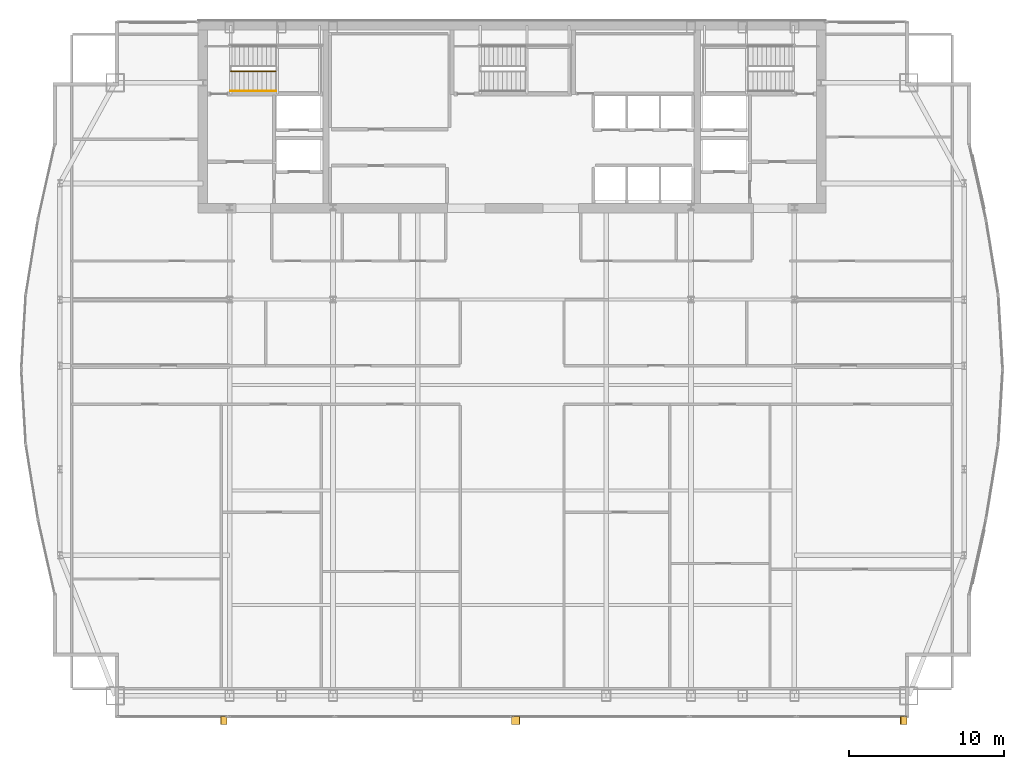
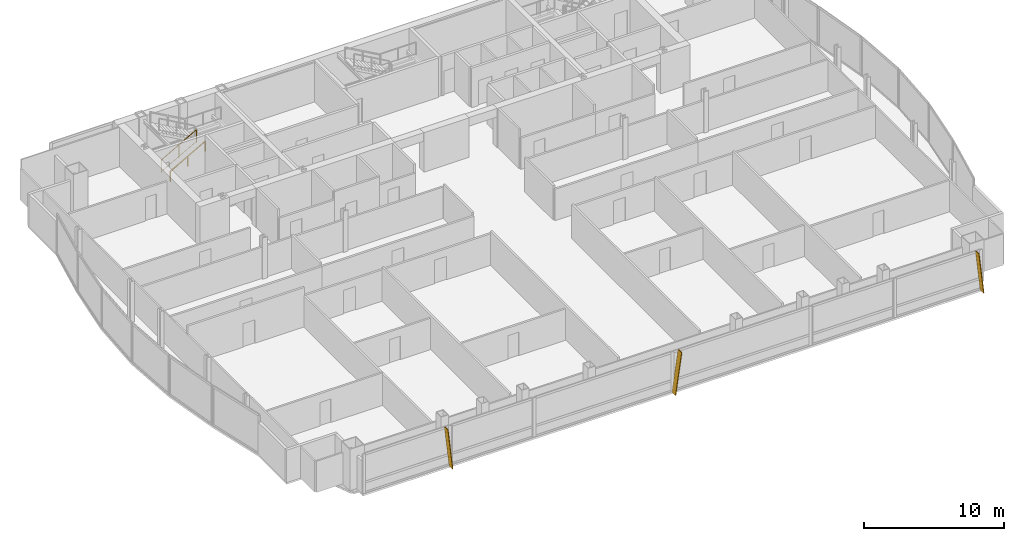
# One storey, part 29 of 30: 3 shading devices, 2 railings.
"""IFC4 building model written with IfcOpenShell, lengths in metres."""

from ifc_helpers import new_model, si_unit, direction, frame, origin, origin_2d, place, context, subcontext, project, spatial, polyline, rectangle, outline, extrude, material, layer, layer_set, type_object, element, save


model = new_model("IFC4")

# Units and contexts
model_context = context("Model", 3, precision=1e-05, world=origin(), true_north=direction((0.0, 1.0)))
body_context = subcontext(model_context, "Body", "Model", "MODEL_VIEW")
ifc_project = project(units=[si_unit("LENGTHUNIT", "METRE"), si_unit("AREAUNIT", "SQUARE_METRE"), si_unit("VOLUMEUNIT", "CUBIC_METRE"), si_unit("PLANEANGLEUNIT", "RADIAN"), si_unit("MASSUNIT", "GRAM", prefix="KILO")], contexts=[model_context])

# Site, building, storey
site_placement = place(None, origin())
site = spatial("IfcSite", under=ifc_project, at=site_placement, CompositionType="ELEMENT")
building_placement = place(site_placement, origin())
building = spatial("IfcBuilding", under=site, at=building_placement, Name="Khoronbel Lancet Exchange", CompositionType="ELEMENT")
storey_placement = place(building_placement, frame((0.0, 0.0, 213.800048828125)))
storey = spatial("IfcBuildingStorey", under=building, at=storey_placement, Name="L54", CompositionType="ELEMENT", Elevation=213.800048828125)

# Railings
ifc_material_1 = material(Name="Painted Steel Balustrade", Category="steel")
railing_type_1 = type_object("IfcRailingType", Name="RL-STG110", PredefinedType="GUARDRAIL", material=ifc_material_1)
railing_1_placement = place(storey_placement, frame((18.300048828125, 50.449951171875, 0.16357421875)))
element("IfcRailing", 1, at=railing_1_placement, inside=storey, type_object=railing_type_1, Name="L54 ST1 stair guard 1", PredefinedType="GUARDRAIL", context=body_context, shape_type="SweptSolid", body=[
    extrude(rectangle(XDim=0.048095703125, YDim=0.048095703125, at=origin_2d()), frame((0.0, 0.0, 1.09619140625), z_axis=(0.870897200241, 0.0, 0.491465224214), x_axis=(0.0, 1.0, 0.0)), (0.0, 0.0, 1.0), 3.329833984375),
    extrude(rectangle(XDim=0.02392578125, YDim=0.02392578125, at=origin_2d()), frame((0.0, 0.0, 0.080078125), z_axis=(0.870897200241, 0.0, 0.491465224214), x_axis=(0.0, 1.0, 0.0)), (0.0, 0.0, 1.0), 3.329833984375),
    extrude(rectangle(XDim=0.0419921875, YDim=0.0419921875, at=origin_2d()), origin(), (0.0, 0.0, 1.0), 1.072021484375),
    extrude(rectangle(XDim=0.0419921875, YDim=0.0419921875, at=origin_2d()), frame((1.449951171875, 0.0, 0.818359375)), (0.0, 0.0, 1.0), 1.072021484375),
    extrude(rectangle(XDim=0.0419921875, YDim=0.0419921875, at=origin_2d()), frame((2.89990234375, 0.0, 1.636474609375)), (0.0, 0.0, 1.0), 1.072021484375),
])
ifc_material_2 = material(Name="Brushed Stainless Steel 316", Category="steel")
railing_type_2 = type_object("IfcRailingType", Name="RL-STH92", PredefinedType="HANDRAIL", material=ifc_material_2)
railing_2_placement = place(storey_placement, frame((18.300048828125, 49.169921875, 0.16357421875)))
element("IfcRailing", 2, at=railing_2_placement, inside=storey, type_object=railing_type_2, Name="L54 ST1 stair handrail 1", PredefinedType="HANDRAIL", context=body_context, shape_type="SweptSolid", body=[
    extrude(rectangle(XDim=0.048095703125, YDim=0.048095703125, at=origin_2d()), frame((0.0, 0.0, 0.8759765625), z_axis=(0.870897200241, 0.0, 0.491465224214), x_axis=(0.0, 1.0, 0.0)), (0.0, 0.0, 1.0), 3.329833984375),
    extrude(rectangle(XDim=0.0419921875, YDim=0.0419921875, at=origin_2d()), origin(), (0.0, 0.0, 1.0), 0.851806640625),
    extrude(rectangle(XDim=0.0419921875, YDim=0.0419921875, at=origin_2d()), frame((1.449951171875, 0.0, 0.818359375)), (0.0, 0.0, 1.0), 0.851806640625),
    extrude(rectangle(XDim=0.0419921875, YDim=0.0419921875, at=origin_2d()), frame((2.89990234375, 0.0, 1.636474609375)), (0.0, 0.0, 1.0), 0.851806640625),
])

# Shading devices
ifc_material_3 = material(Name="Bronze-Anodised Aluminium 6063-T6", Category="aluminium")
ifc_layer = layer(ifc_material_3, 0.054931640625, Name="Bronze-Anodised Aluminium 6063-T6")
ifc_layer_set = layer_set([ifc_layer], Name="Bronze-Anodised Aluminium 6063-T6")
shading_device_type = type_object("IfcShadingDeviceType", Name="SHD-FIN1", PredefinedType="USERDEFINED", material=ifc_layer_set)
shading_device_1_placement = place(storey_placement, frame((18.072509765625, 8.81005859375, -0.080078125), z_axis=(0.993900347655, 0.0, 0.110281906632), x_axis=(0.0, -1.0, 0.0)))
element("IfcShadingDevice", 3, at=shading_device_1_placement, inside=storey, type_object=shading_device_type, Name="Slanted bronze solar fin CW-L54-SWV-1", ObjectType="FIN", PredefinedType="USERDEFINED", context=body_context, shape_type="SweptSolid", body=[
    extrude(outline(polyline([(0.0, 0.0), (0.52001953125, 0.0), (0.52001953125, -3.581787109375), (0.0, -3.581787109375), (0.0, 0.0)])), origin(), (0.0, 0.0, -1.0), 0.054931640625),
])
shading_device_2_placement = place(storey_placement, frame((36.422607421875, 8.81005859375, -0.080078125), z_axis=(-0.990092925251, 0.0, 0.140413672296), x_axis=(0.0, -1.0, 0.0)))
element("IfcShadingDevice", 4, at=shading_device_2_placement, inside=storey, type_object=shading_device_type, Name="Slanted bronze solar fin CW-L54-SCV-1", ObjectType="FIN", PredefinedType="USERDEFINED", context=body_context, shape_type="SweptSolid", body=[
    extrude(outline(polyline([(0.0, 0.0), (0.52001953125, 0.0), (0.52001953125, 3.595703125), (0.0, 3.595703125), (0.0, 0.0)])), origin(), (0.0, 0.0, -1.0), 0.054931640625),
])
shading_device_3_placement = place(storey_placement, frame((61.9326171875, 8.81005859375, -0.080078125), z_axis=(0.993900347655, 0.0, 0.110281906632), x_axis=(0.0, -1.0, 0.0)))
element("IfcShadingDevice", 5, at=shading_device_3_placement, inside=storey, type_object=shading_device_type, Name="Slanted bronze solar fin CW-L54-SEV-1", ObjectType="FIN", PredefinedType="USERDEFINED", context=body_context, shape_type="SweptSolid", body=[
    extrude(outline(polyline([(0.0, 0.0), (0.52001953125, 0.0), (0.52001953125, -3.581787109375), (0.0, -3.581787109375), (0.0, 0.0)])), origin(), (0.0, 0.0, -1.0), 0.054931640625),
])

save(model, "model.ifc")
